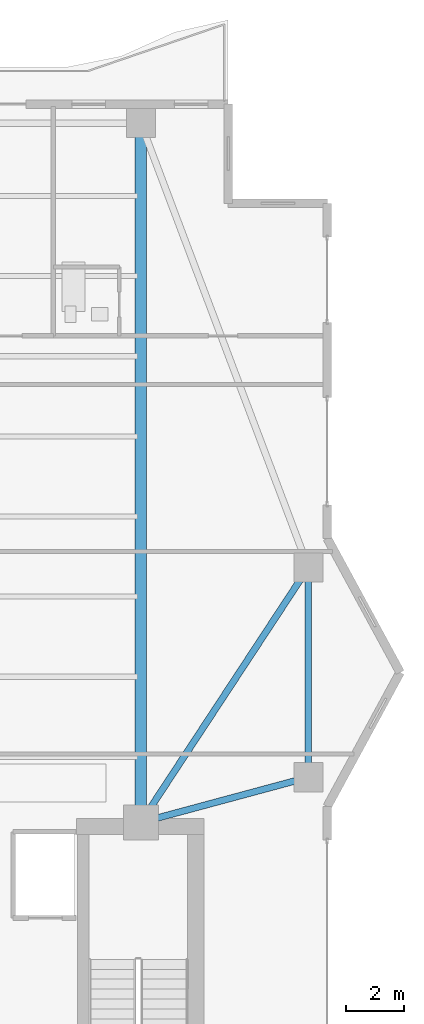
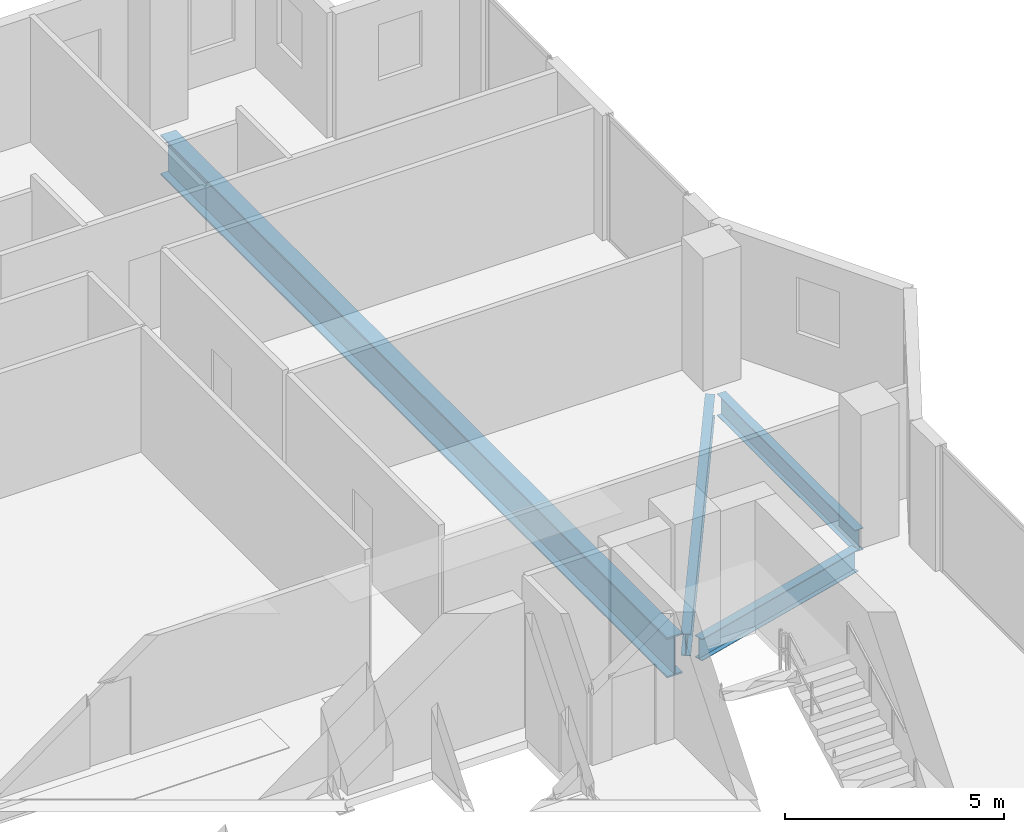
# One storey, part 11 of 24: 4 beams.
"""IFC4 building model written with IfcOpenShell, lengths in metres."""

from ifc_helpers import new_model, si_unit, direction, frame, origin, origin_2d, place, context, subcontext, project, spatial, i_section, extrude, material, material_profile, profile_set, type_object, element, save


model = new_model("IFC4")

# Units and contexts
model_context = context("Model", 3, precision=1e-05, world=origin(), true_north=direction((0.0, 1.0)))
body_context = subcontext(model_context, "Body", "Model", "MODEL_VIEW")
ifc_project = project(units=[si_unit("LENGTHUNIT", "METRE"), si_unit("AREAUNIT", "SQUARE_METRE"), si_unit("VOLUMEUNIT", "CUBIC_METRE"), si_unit("PLANEANGLEUNIT", "RADIAN"), si_unit("MASSUNIT", "GRAM", prefix="KILO")], contexts=[model_context])

# Site, building, storey
site_placement = place(None, origin())
site = spatial("IfcSite", under=ifc_project, at=site_placement, CompositionType="ELEMENT")
building_placement = place(site_placement, origin())
building = spatial("IfcBuilding", under=site, at=building_placement, Name="Zuhayl Quay Hotel", CompositionType="ELEMENT")
storey_placement = place(building_placement, frame((0.0, 0.0, 276.64990234375)))
storey = spatial("IfcBuildingStorey", under=building, at=storey_placement, Name="L70", CompositionType="ELEMENT", Elevation=276.64990234375)

# Beams
ifc_material_1 = material(Name="Steel ASTM A992 Grade 50", Category="steel")
ifc_material_profile_1 = material_profile(ifc_material_1, i_section(OverallWidth=0.22802734375, OverallDepth=0.60693359375, WebThickness=0.01123046875, FlangeThickness=0.017333984375, at=origin_2d()), Name="W24X76")
ifc_profile_set_1 = profile_set([ifc_material_profile_1], Name="Steel ASTM A992 Grade 50")
beam_type_1 = type_object("IfcBeamType", Name="BM_B3_W24X76", PredefinedType="BEAM", material=ifc_profile_set_1)
beam_1_placement = place(storey_placement, frame((19.550048828125, 16.360107421875, -0.5234375), z_axis=(0.0, 1.0, 0.0), x_axis=(-1.0, 0.0, 0.0)))
element("IfcBeam", 1, at=beam_1_placement, inside=storey, type_object=beam_type_1, Name="L70 Floor Beam RG_L70_05", PredefinedType="BEAM", context=body_context, shape_type="SweptSolid", body=[
    extrude(i_section(OverallWidth=0.22802734375, OverallDepth=0.60693359375, WebThickness=0.01123046875, FlangeThickness=0.017333984375, at=origin_2d()), origin(), (0.0, 0.0, 1.0), 6.27978515625),
])
beam_2_placement = place(storey_placement, frame((14.234619140625, 14.467041015625, -0.5234375), z_axis=(0.965530205773, 0.26029103277, 0.0), x_axis=(-0.26029103277, 0.965530205773, 0.0)))
element("IfcBeam", 2, at=beam_2_placement, inside=storey, type_object=beam_type_1, Name="L70 Floor Beam FG_E_L70_1", PredefinedType="BEAM", context=body_context, shape_type="SweptSolid", body=[
    extrude(i_section(OverallWidth=0.22802734375, OverallDepth=0.60693359375, WebThickness=0.01123046875, FlangeThickness=0.017333984375, at=origin_2d()), origin(), (0.0, 0.0, 1.0), 5.045166015625),
])
beam_3_placement = place(storey_placement, frame((14.047119140625, 14.72607421875, -0.5234375), z_axis=(0.549177886661, 0.835705479701, 0.0), x_axis=(-0.835705479701, 0.549177886661, 0.0)))
element("IfcBeam", 3, at=beam_3_placement, inside=storey, type_object=beam_type_1, Name="L70 Floor Beam FG_E_L70_2", PredefinedType="BEAM", context=body_context, shape_type="SweptSolid", body=[
    extrude(i_section(OverallWidth=0.22802734375, OverallDepth=0.60693359375, WebThickness=0.01123046875, FlangeThickness=0.017333984375, at=origin_2d()), origin(), (0.0, 0.0, 1.0), 9.560302734375),
])
ifc_material_2 = material(Name="Steel ASTM A913 Grade 65", Category="steel")
ifc_material_profile_2 = material_profile(ifc_material_2, i_section(OverallWidth=0.404052734375, OverallDepth=1.117919921875, WebThickness=0.026123046875, FlangeThickness=0.044921875, at=origin_2d()), Name="W44X335")
ifc_profile_set_2 = profile_set([ifc_material_profile_2], Name="Steel ASTM A913 Grade 65")
beam_type_2 = type_object("IfcBeamType", Name="BM_TG1_W44X335", PredefinedType="BEAM", material=ifc_profile_set_2)
beam_4_placement = place(storey_placement, frame((13.800048828125, 14.800048828125, -0.77880859375), z_axis=(0.0, 1.0, 0.0), x_axis=(-1.0, 0.0, 0.0)))
element("IfcBeam", 4, at=beam_4_placement, inside=storey, type_object=beam_type_2, Name="L70 Floor Beam FG_N_L70_4", PredefinedType="BEAM", context=body_context, shape_type="SweptSolid", body=[
    extrude(i_section(OverallWidth=0.404052734375, OverallDepth=1.117919921875, WebThickness=0.026123046875, FlangeThickness=0.044921875, at=origin_2d()), origin(), (0.0, 0.0, 1.0), 23.08984375),
])

save(model, "model.ifc")
